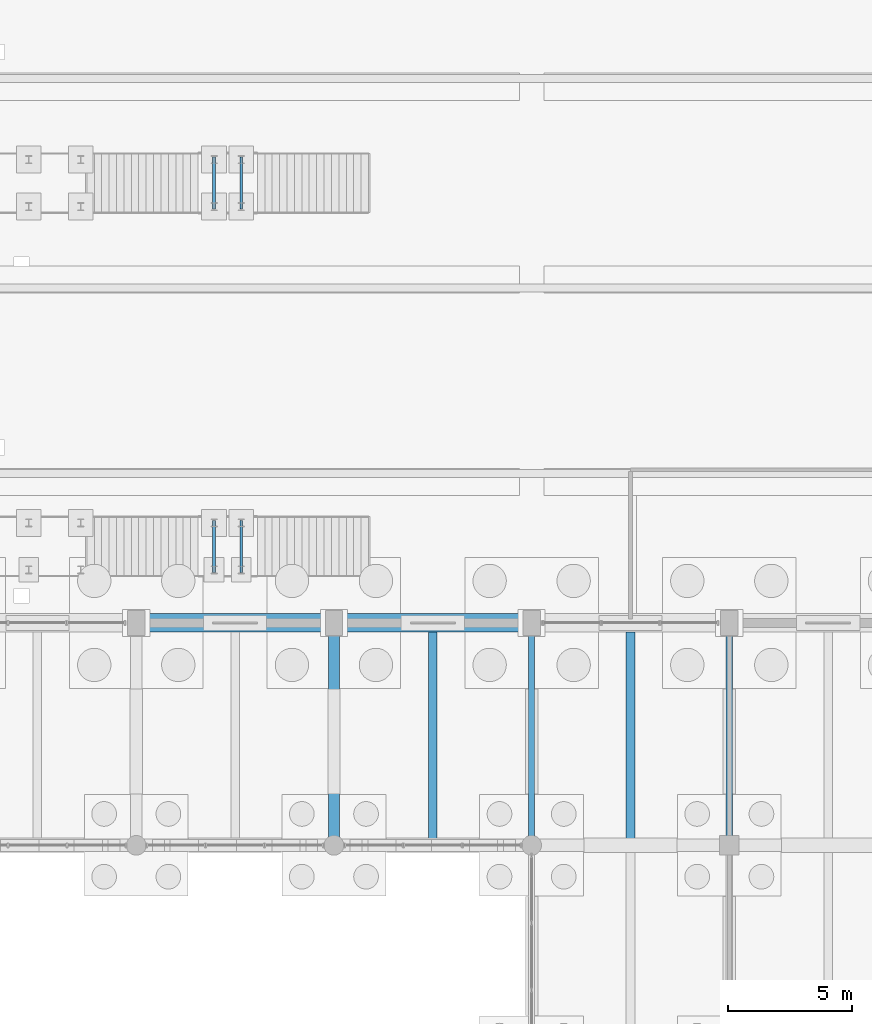
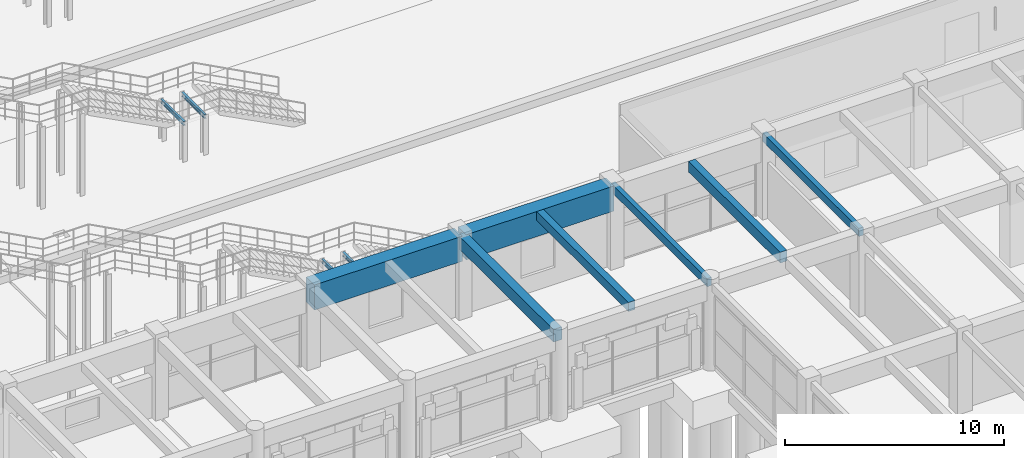
# One storey, part 80 of 147: 11 beams.
"""IFC4 building model written with IfcOpenShell, lengths in metres."""

from ifc_helpers import new_model, si_unit, direction, frame, origin, origin_2d, place, context, subcontext, project, spatial, rectangle, i_section, extrude, material, material_profile, profile_set, type_object, element, save


model = new_model("IFC4")

# Units and contexts
model_context = context("Model", 3, precision=1e-05, world=origin(), true_north=direction((0.0, 1.0)))
body_context = subcontext(model_context, "Body", "Model", "MODEL_VIEW")
ifc_project = project(units=[si_unit("LENGTHUNIT", "METRE"), si_unit("AREAUNIT", "SQUARE_METRE"), si_unit("VOLUMEUNIT", "CUBIC_METRE"), si_unit("PLANEANGLEUNIT", "RADIAN"), si_unit("MASSUNIT", "GRAM", prefix="KILO")], contexts=[model_context])

# Site, building, storey
site_placement = place(None, origin())
site = spatial("IfcSite", under=ifc_project, at=site_placement, CompositionType="ELEMENT")
building_placement = place(site_placement, origin())
building = spatial("IfcBuilding", under=site, at=building_placement, Name="Varnabhumi Central Station", CompositionType="ELEMENT")
storey_placement = place(building_placement, origin())
storey = spatial("IfcBuildingStorey", under=building, at=storey_placement, Name="L00", CompositionType="ELEMENT", Elevation=0.0)

# Beams
ifc_material_1 = material(Name="Concrete M50", Category="concrete")
ifc_material_profile_1 = material_profile(ifc_material_1, rectangle(XDim=0.75, YDim=1.39990234375, at=origin_2d()), Name="Concrete M50", Category="concrete")
ifc_profile_set_1 = profile_set([ifc_material_profile_1], Name="Concrete M50")
beam_type_1 = type_object("IfcBeamType", Name="BM-RC-1400x750", PredefinedType="BEAM", material=ifc_profile_set_1)
for number, where, z_axis, x_axis, name in (
    (1, (128.10009765625, 36.0, 3.85009765625), (1.0, 0.0, 0.0), (0.0, 1.0, 0.0), "Beam L00-E:17-18"),
    (2, (136.10009765625, 36.0, 3.85009765625), (1.0, 0.0, 0.0), (0.0, 1.0, 0.0), "Beam L00-E:18-19"),
):
    element("IfcBeam", number, at=place(storey_placement, frame(where, z_axis=z_axis, x_axis=x_axis)), inside=storey, type_object=beam_type_1, Name=name, PredefinedType="BEAM", context=body_context, shape_type="SweptSolid", body=[
        extrude(rectangle(XDim=0.75, YDim=1.39990234375, at=origin_2d()), origin(), (0.0, 0.0, 1.0), 7.7998046875),
    ])
ifc_material_2 = material(Name="Concrete M35", Category="concrete")
ifc_material_profile_2 = material_profile(ifc_material_2, rectangle(XDim=0.25, YDim=0.449951171875, at=origin_2d()), Name="Concrete M35", Category="concrete")
ifc_profile_set_2 = profile_set([ifc_material_profile_2], Name="Concrete M35")
beam_type_2 = type_object("IfcBeamType", Name="BM-RC-250x450", PredefinedType="LINTEL", material=ifc_profile_set_2)
for number, where, z_axis, x_axis, name in (
    (3, (144.0, 27.10009765625, 4.324951171875), (0.0, 1.0, 0.0), (-1.0, 0.0, 0.0), "Beam L00-19:D-E"),
    (4, (152.0, 27.10009765625, 4.324951171875), (0.0, 1.0, 0.0), (-1.0, 0.0, 0.0), "Beam L00-20:D-E"),
):
    element("IfcBeam", number, at=place(storey_placement, frame(where, z_axis=z_axis, x_axis=x_axis)), inside=storey, type_object=beam_type_2, Name=name, PredefinedType="LINTEL", context=body_context, shape_type="SweptSolid", body=[
        extrude(rectangle(XDim=0.25, YDim=0.449951171875, at=origin_2d()), origin(), (0.0, 0.0, 1.0), 8.7998046875),
    ])
ifc_material_3 = material(Name="Concrete M40", Category="concrete")
ifc_material_profile_3 = material_profile(ifc_material_3, rectangle(XDim=0.35009765625, YDim=0.5, at=origin_2d()), Name="Concrete M40", Category="concrete")
ifc_profile_set_3 = profile_set([ifc_material_profile_3], Name="Concrete M40")
beam_type_3 = type_object("IfcBeamType", Name="BM-RC-350x500", PredefinedType="JOIST", material=ifc_profile_set_3)
beam_1_placement = place(storey_placement, frame((140.0, 27.25, 4.300048828125), z_axis=(0.0, 1.0, 0.0), x_axis=(-1.0, 0.0, 0.0)))
element("IfcBeam", 5, at=beam_1_placement, inside=storey, type_object=beam_type_3, Name="Secondary Joist L00-18/19:D-E", PredefinedType="JOIST", context=body_context, shape_type="SweptSolid", body=[
    extrude(rectangle(XDim=0.35009765625, YDim=0.5, at=origin_2d()), origin(), (0.0, 0.0, 1.0), 8.375),
])
ifc_material_profile_4 = material_profile(ifc_material_3, rectangle(XDim=0.449951171875, YDim=0.699951171875, at=origin_2d()), Name="Concrete M40", Category="concrete")
ifc_profile_set_4 = profile_set([ifc_material_profile_4], Name="Concrete M40")
beam_type_4 = type_object("IfcBeamType", Name="BM-RC-450x700", PredefinedType="BEAM", material=ifc_profile_set_4)
beam_2_placement = place(storey_placement, frame((136.0, 27.10009765625, 4.199951171875), z_axis=(0.0, 1.0, 0.0), x_axis=(-1.0, 0.0, 0.0)))
element("IfcBeam", 6, at=beam_2_placement, inside=storey, type_object=beam_type_4, Name="Beam L00-18:D-E", PredefinedType="BEAM", context=body_context, shape_type="SweptSolid", body=[
    extrude(rectangle(XDim=0.449951171875, YDim=0.699951171875, at=origin_2d()), origin(), (0.0, 0.0, 1.0), 8.7998046875),
])
ifc_material_profile_5 = material_profile(ifc_material_3, rectangle(XDim=0.35009765625, YDim=0.60009765625, at=origin_2d()), Name="Concrete M40", Category="concrete")
ifc_profile_set_5 = profile_set([ifc_material_profile_5], Name="Concrete M40")
beam_type_5 = type_object("IfcBeamType", Name="BM-RC-600x350", PredefinedType="JOIST", material=ifc_profile_set_5)
beam_3_placement = place(storey_placement, frame((148.0, 27.25, 4.25), z_axis=(0.0, 1.0, 0.0), x_axis=(-1.0, 0.0, 0.0)))
element("IfcBeam", 7, at=beam_3_placement, inside=storey, type_object=beam_type_5, Name="Secondary Joist L00-19/20:D-E", PredefinedType="JOIST", context=body_context, shape_type="SweptSolid", body=[
    extrude(rectangle(XDim=0.35009765625, YDim=0.60009765625, at=origin_2d()), origin(), (0.0, 0.0, 1.0), 8.375),
])
ifc_material_4 = material(Name="Structural steel E350", Category="steel")
ifc_material_profile_6 = material_profile(ifc_material_4, i_section(OverallWidth=0.110107421875, OverallDepth=0.22509765625, WebThickness=0.006591796875, FlangeThickness=0.01171875, FilletRadius=0.011962890625, at=origin_2d()), Name="Structural steel E350", Category="steel")
ifc_profile_set_6 = profile_set([ifc_material_profile_6], Name="Structural steel E350")
beam_type_6 = type_object("IfcBeamType", Name="BM-STL-ISMB225", PredefinedType="JOIST", material=ifc_profile_set_6)
for number, where, z_axis, x_axis, name in (
    (8, (131.14990234375, 38.050048828125, 2.107421875), (0.0, 1.0, 0.0), (-1.0, 0.0, 0.0), "Stair Landing Beam P1-p1_l0mid-1"),
    (9, (132.25, 38.050048828125, 2.107421875), (0.0, 1.0, 0.0), (-1.0, 0.0, 0.0), "Stair Landing Beam P1-p1_l0mid-2"),
):
    element("IfcBeam", number, at=place(storey_placement, frame(where, z_axis=z_axis, x_axis=x_axis)), inside=storey, type_object=beam_type_6, Name=name, PredefinedType="JOIST", context=body_context, shape_type="SweptSolid", body=[
        extrude(i_section(OverallWidth=0.110107421875, OverallDepth=0.22509765625, WebThickness=0.006591796875, FlangeThickness=0.01171875, FilletRadius=0.011962890625, at=origin_2d()), origin(), (0.0, 0.0, 1.0), 2.099853515625),
    ])
for number, where, z_axis, x_axis, name in (
    (10, (131.14990234375, 52.75, 2.107421875), (0.0, 1.0, 0.0), (-1.0, 0.0, 0.0), "Stair Landing Beam P2-p2_l0mid-1"),
    (11, (132.25, 52.75, 2.107421875), (0.0, 1.0, 0.0), (-1.0, 0.0, 0.0), "Stair Landing Beam P2-p2_l0mid-2"),
):
    element("IfcBeam", number, at=place(storey_placement, frame(where, z_axis=z_axis, x_axis=x_axis)), inside=storey, type_object=beam_type_6, Name=name, PredefinedType="JOIST", context=body_context, shape_type="SweptSolid", body=[
        extrude(i_section(OverallWidth=0.110107421875, OverallDepth=0.22509765625, WebThickness=0.006591796875, FlangeThickness=0.01171875, FilletRadius=0.011962890625, at=origin_2d()), origin(), (0.0, 0.0, 1.0), 2.10009765625),
    ])

save(model, "model.ifc")
